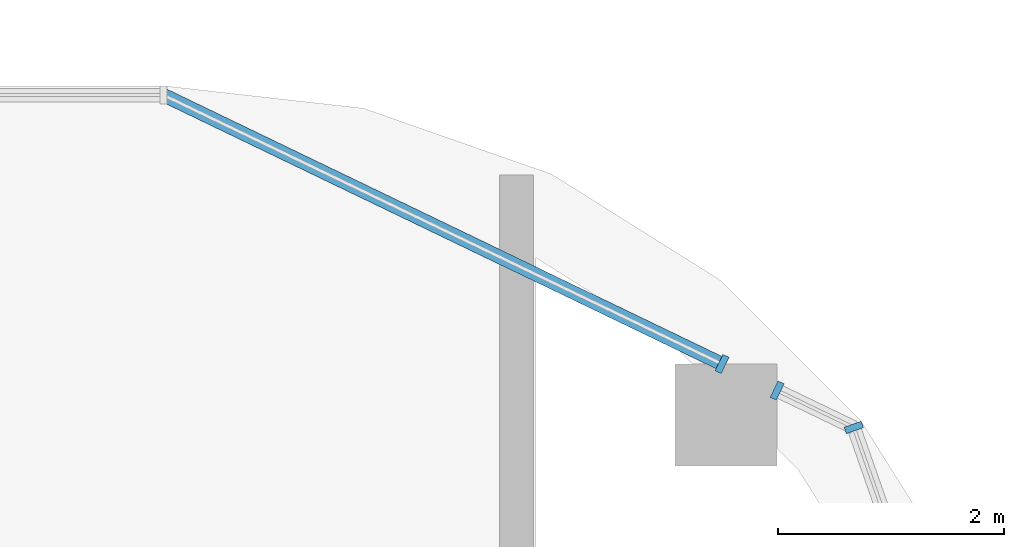
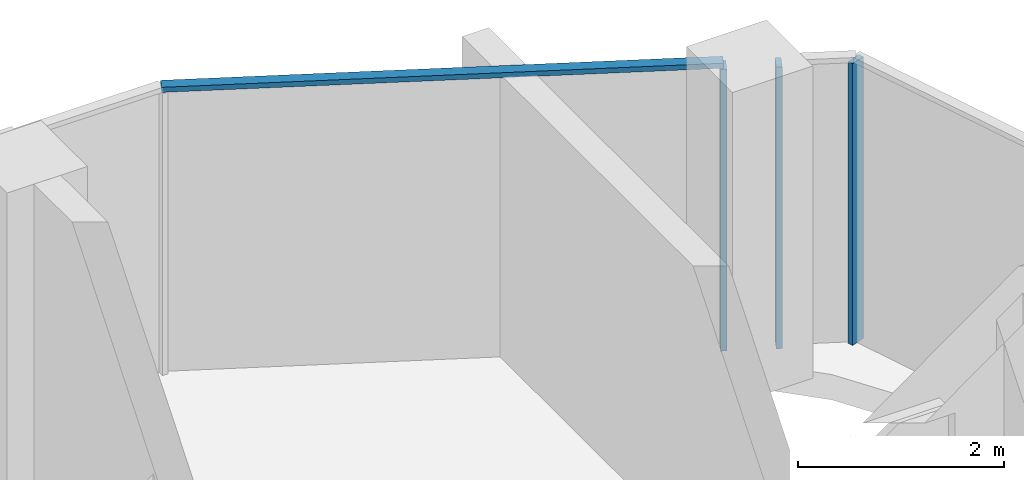
# One storey, part 5 of 20: 4 members, 2 elements without a shape of their own.
"""IFC4 building model written with IfcOpenShell, lengths in metres."""

from ifc_helpers import new_model, si_unit, direction, frame, origin, origin_2d, place, context, subcontext, project, spatial, rectangle, extrude, material, material_profile, profile_set, type_object, element, aggregate, save


model = new_model("IFC4")

# Units and contexts
model_context = context("Model", 3, precision=1e-05, world=origin(), true_north=direction((0.0, 1.0)))
body_context = subcontext(model_context, "Body", "Model", "MODEL_VIEW")
ifc_project = project(units=[si_unit("LENGTHUNIT", "METRE"), si_unit("AREAUNIT", "SQUARE_METRE"), si_unit("VOLUMEUNIT", "CUBIC_METRE"), si_unit("PLANEANGLEUNIT", "RADIAN"), si_unit("MASSUNIT", "GRAM", prefix="KILO")], contexts=[model_context])

# Site, building, storey
site_placement = place(None, origin())
site = spatial("IfcSite", under=ifc_project, at=site_placement, CompositionType="ELEMENT")
building_placement = place(site_placement, origin())
building = spatial("IfcBuilding", under=site, at=building_placement, Name="Ogive Portal Towers", CompositionType="ELEMENT")
storey_placement = place(building_placement, frame((0.0, 0.0, 210.60009765625)))
storey = spatial("IfcBuildingStorey", under=building, at=storey_placement, Name="L52", CompositionType="ELEMENT", Elevation=210.60009765625)

# Curtain wall, members
ifc_material_1 = material(Name="Glass, clear low-iron insulated glazing", Category="glass")
curtain_wall_type = type_object("IfcCurtainWallType", Name="CW FRONT RIBBON 4500", PredefinedType="NOTDEFINED", material=ifc_material_1)
curtain_wall_1_placement = place(storey_placement, origin())
curtain_wall_1 = element("IfcCurtainWall", 1, at=curtain_wall_1_placement, inside=storey, type_object=curtain_wall_type, Name="A:L52:f09:cwa~0", PredefinedType="NOTDEFINED")
ifc_material_2 = material(Name="Aluminium 6063 anodised", Category="aluminium")
ifc_material_profile_1 = material_profile(ifc_material_2, rectangle(XDim=0.159912109375, YDim=0.06005859375, at=origin_2d()), Name="AL 60x160")
ifc_profile_set_1 = profile_set([ifc_material_profile_1], Name="Aluminium 6063 anodised")
member_type_1 = type_object("IfcMemberType", Name="CW MULLION 60x160", PredefinedType="MULLION", material=ifc_profile_set_1)
member_1_placement = place(storey_placement, frame((93.57666015625, 37.33984375, 0.0), z_axis=(0.0, 0.0, 1.0), x_axis=(-0.943883330307, -0.33027906196, 0.0)))
member_1 = element("IfcMember", 2, at=member_1_placement, type_object=member_type_1, Name="mullion", PredefinedType="MULLION", context=body_context, shape_type="SweptSolid", body=[
    extrude(rectangle(XDim=0.159912109375, YDim=0.06005859375, at=origin_2d()), origin(), (0.0, 0.0, 1.0), 3.33984375),
])
member_2_placement = place(storey_placement, frame((92.89990234375, 37.665771484375, 0.0), z_axis=(0.0, 0.0, 1.0), x_axis=(-0.433883739113, -0.900968867905, 0.0)))
member_2 = element("IfcMember", 3, at=member_2_placement, type_object=member_type_1, Name="mullion", PredefinedType="MULLION", context=body_context, shape_type="SweptSolid", body=[
    extrude(rectangle(XDim=0.159912109375, YDim=0.06005859375, at=origin_2d()), origin(), (0.0, 0.0, 1.0), 3.33984375),
])
aggregate(curtain_wall_1, [member_1, member_2])

curtain_wall_2_placement = place(storey_placement, origin())
curtain_wall_2 = element("IfcCurtainWall", 4, at=curtain_wall_2_placement, inside=storey, type_object=curtain_wall_type, Name="A:L52:f09:cwa~1", PredefinedType="NOTDEFINED")
member_3_placement = place(storey_placement, frame((92.41357421875, 37.89990234375, 0.0), z_axis=(0.0, 0.0, 1.0), x_axis=(-0.433883739113, -0.900968867905, 0.0)))
member_3 = element("IfcMember", 5, at=member_3_placement, type_object=member_type_1, Name="mullion", PredefinedType="MULLION", context=body_context, shape_type="SweptSolid", body=[
    extrude(rectangle(XDim=0.159912109375, YDim=0.06005859375, at=origin_2d()), origin(), (0.0, 0.0, 1.0), 3.33984375),
])
ifc_material_profile_2 = material_profile(ifc_material_2, rectangle(XDim=0.1201171875, YDim=0.06005859375, at=origin_2d()), Name="AL 120x60")
ifc_profile_set_2 = profile_set([ifc_material_profile_2], Name="Aluminium 6063 anodised")
member_type_2 = type_object("IfcMemberType", Name="CW TRANSOM 60x120", PredefinedType="USERDEFINED", material=ifc_profile_set_2)
member_4_placement = place(storey_placement, frame((92.41357421875, 37.89990234375, 3.369873046875), z_axis=(-0.900973904376, 0.433873280618, 0.0), x_axis=(-0.433873280618, -0.900973904376, 0.0)))
member_4 = element("IfcMember", 6, at=member_4_placement, type_object=member_type_2, Name="transom", ObjectType="TRANSOM", PredefinedType="USERDEFINED", context=body_context, shape_type="SweptSolid", body=[
    extrude(rectangle(XDim=0.1201171875, YDim=0.06005859375, at=origin_2d()), origin(), (0.0, 0.0, 1.0), 5.473876953125),
])
aggregate(curtain_wall_2, [member_4, member_3])

save(model, "model.ifc")
